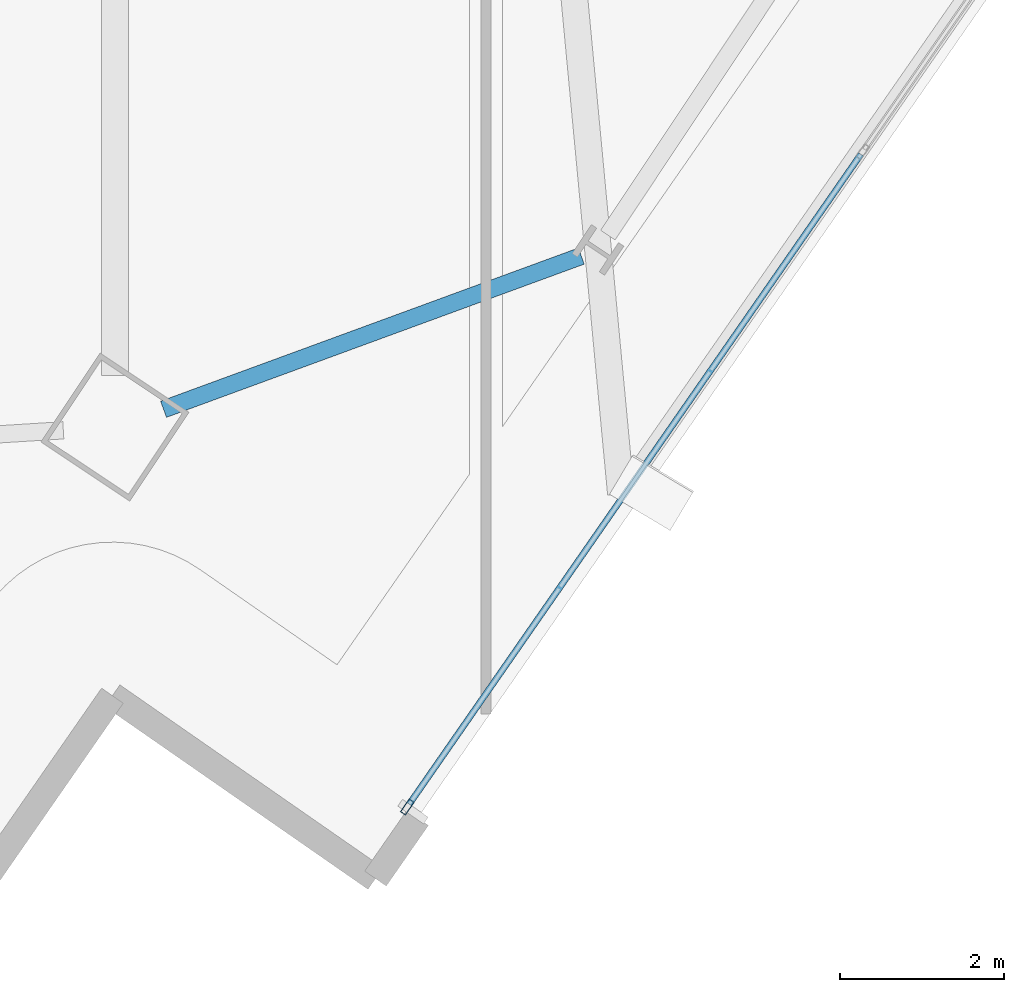
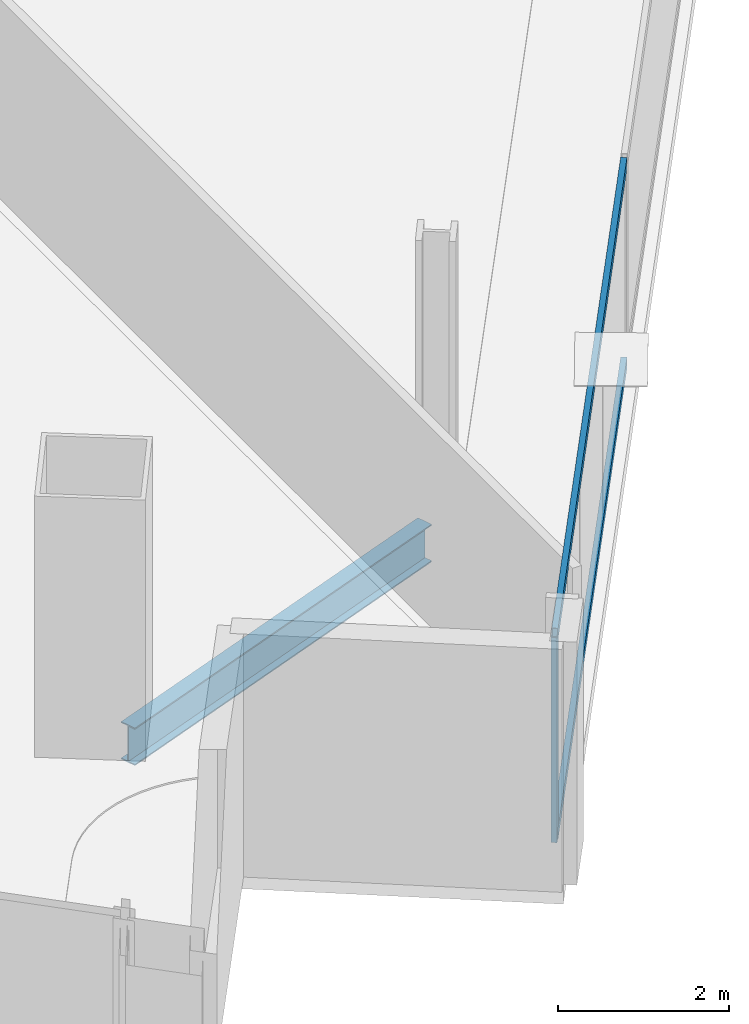
# One storey, part 8 of 30: 3 members, 1 beam, 1 element without a shape of its own.
"""IFC4 building model written with IfcOpenShell, lengths in metres."""

from ifc_helpers import new_model, si_unit, direction, frame, origin, origin_2d, place, context, subcontext, project, spatial, hollow_rectangle, i_section, extrude, material, material_profile, profile_set, type_object, element, aggregate, save


model = new_model("IFC4")

# Units and contexts
model_context = context("Model", 3, precision=1e-05, world=origin(), true_north=direction((0.0, 1.0)))
body_context = subcontext(model_context, "Body", "Model", "MODEL_VIEW")
ifc_project = project(units=[si_unit("LENGTHUNIT", "METRE"), si_unit("AREAUNIT", "SQUARE_METRE"), si_unit("VOLUMEUNIT", "CUBIC_METRE"), si_unit("PLANEANGLEUNIT", "RADIAN"), si_unit("MASSUNIT", "GRAM", prefix="KILO")], contexts=[model_context])

# Site, building, storey
site_placement = place(None, origin())
site = spatial("IfcSite", under=ifc_project, at=site_placement, CompositionType="ELEMENT")
building_placement = place(site_placement, origin())
building = spatial("IfcBuilding", under=site, at=building_placement, Name="Haldenkirk Collegiate Tower", CompositionType="ELEMENT")
storey_placement = place(building_placement, frame((0.0, 0.0, 213.449951171875)))
storey = spatial("IfcBuildingStorey", under=building, at=storey_placement, Name="L53", CompositionType="ELEMENT", Elevation=213.449951171875)

# Beam
ifc_material_1 = material(Name="Steel ASTM A992 Grade 50", Category="steel")
ifc_material_profile_1 = material_profile(ifc_material_1, i_section(OverallWidth=0.2099609375, OverallDepth=0.537109375, WebThickness=0.010986328125, FlangeThickness=0.017333984375, at=origin_2d()), Name="W21X68")
ifc_profile_set_1 = profile_set([ifc_material_profile_1], Name="Steel ASTM A992 Grade 50")
beam_type = type_object("IfcBeamType", Name="BM-SPANDREL-W21X68", PredefinedType="SPANDREL", material=ifc_profile_set_1)
beam_placement = place(storey_placement, frame((41.07421875, 1.5498046875, -0.54833984375), z_axis=(0.938836975249, 0.344361922843, 0.0), x_axis=(-0.344361922843, 0.938836975249, 0.0)))
element("IfcBeam", 1, at=beam_placement, inside=storey, type_object=beam_type, Name="L53 perimeter spandrel beam 01", PredefinedType="SPANDREL", context=body_context, shape_type="SweptSolid", body=[
    extrude(i_section(OverallWidth=0.2099609375, OverallDepth=0.537109375, WebThickness=0.010986328125, FlangeThickness=0.017333984375, at=origin_2d()), origin(), (0.0, 0.0, 1.0), 5.41650390625),
])

# Curtain wall, members
ifc_material_2 = material(Name="Anodised architectural bronze aluminium", Category="aluminium")
curtain_wall_type = type_object("IfcCurtainWallType", Name="CW-SYS2-CONCAVE", PredefinedType="USERDEFINED", material=ifc_material_2)
curtain_wall_placement = place(storey_placement, origin())
curtain_wall = element("IfcCurtainWall", 2, at=curtain_wall_placement, inside=storey, type_object=curtain_wall_type, Name="L53 South concave recessed bronze-anodised curtain wall", ObjectType="UNITISED CURTAIN WALL", PredefinedType="USERDEFINED")
ifc_material_profile_2 = material_profile(ifc_material_2, hollow_rectangle(XDim=0.074951171875, YDim=0.18994140625, WallThickness=0.0048828125, at=origin_2d()), Name="CW-MUL-02")
ifc_profile_set_2 = profile_set([ifc_material_profile_2], Name="Anodised architectural bronze aluminium")
member_type_1 = type_object("IfcMemberType", Name="CW-MUL-02", PredefinedType="MULLION", material=ifc_profile_set_2)
member_1_placement = place(storey_placement, frame((44.04150390625, -3.290771484375, 0.0), z_axis=(0.0, 0.0, 1.0), x_axis=(0.82114783118, -0.570715550295, 0.0)))
member_1 = element("IfcMember", 3, at=member_1_placement, type_object=member_type_1, Name="CW-02 mullion 5", PredefinedType="MULLION", context=body_context, shape_type="SweptSolid", body=[
    extrude(hollow_rectangle(XDim=0.074951171875, YDim=0.18994140625, WallThickness=0.0048828125, at=origin_2d()), origin(), (0.0, 0.0, 1.0), 2.927978515625),
])
ifc_material_profile_3 = material_profile(ifc_material_2, hollow_rectangle(XDim=0.074951171875, YDim=0.159912109375, WallThickness=0.0048828125, at=origin_2d()), Name="CW-TRN-02")
ifc_profile_set_3 = profile_set([ifc_material_profile_3], Name="Anodised architectural bronze aluminium")
member_type_2 = type_object("IfcMemberType", Name="CW-TRN-02", PredefinedType="USERDEFINED", material=ifc_profile_set_3)
member_2_placement = place(storey_placement, frame((49.563232421875, 4.654052734375, 0.03759765625), z_axis=(-0.570701492973, -0.821157601145, 0.0), x_axis=(0.821157601145, -0.570701492973, 0.0)))
member_2 = element("IfcMember", 4, at=member_2_placement, type_object=member_type_2, Name="CW-02 transom 4.1", ObjectType="TRANSOM", PredefinedType="USERDEFINED", context=body_context, shape_type="SweptSolid", body=[
    extrude(hollow_rectangle(XDim=0.074951171875, YDim=0.159912109375, WallThickness=0.0048828125, at=origin_2d()), origin(), (0.0, 0.0, 1.0), 9.6376953125),
])
member_3_placement = place(storey_placement, frame((49.563232421875, 4.654052734375, 2.890625), z_axis=(-0.570701492973, -0.821157601145, 0.0), x_axis=(0.821157601145, -0.570701492973, 0.0)))
member_3 = element("IfcMember", 5, at=member_3_placement, type_object=member_type_2, Name="CW-02 transom 4.2", ObjectType="TRANSOM", PredefinedType="USERDEFINED", context=body_context, shape_type="SweptSolid", body=[
    extrude(hollow_rectangle(XDim=0.074951171875, YDim=0.159912109375, WallThickness=0.0048828125, at=origin_2d()), origin(), (0.0, 0.0, 1.0), 9.6376953125),
])
aggregate(curtain_wall, [member_1, member_2, member_3])

save(model, "model.ifc")
